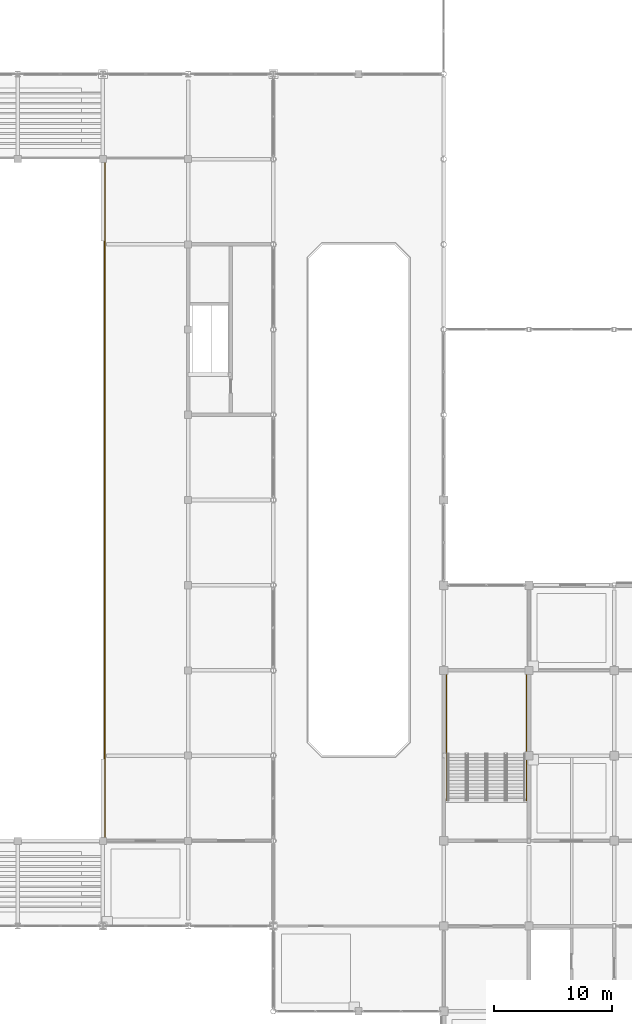
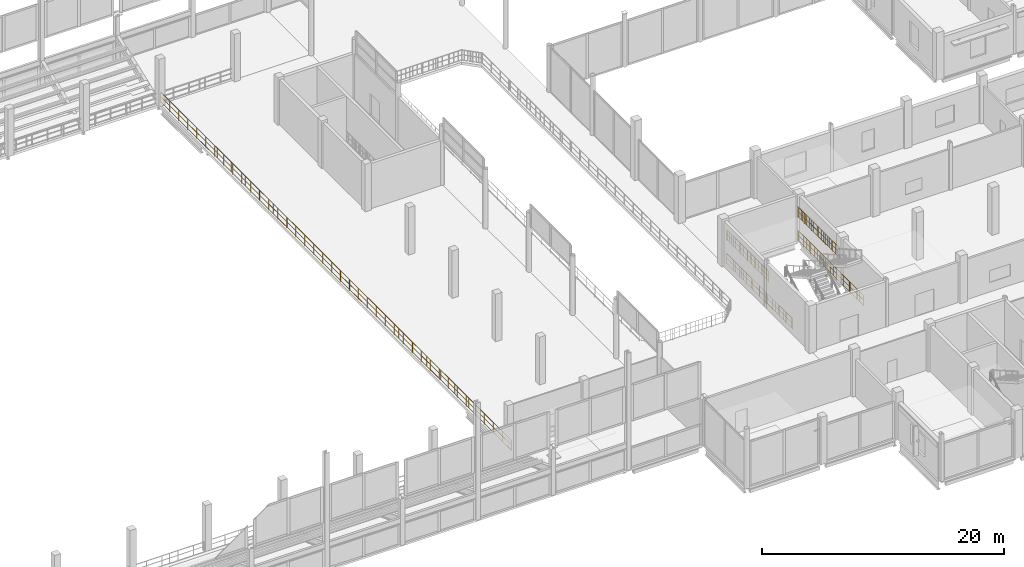
# One storey, part 110 of 120: 5 railings.
"""IFC4 building model written with IfcOpenShell, lengths in metres."""

from ifc_helpers import new_model, si_unit, direction, frame, origin, origin_2d, place, context, subcontext, project, spatial, circle, extrude, material, type_object, element, save


model = new_model("IFC4")

# Units and contexts
model_context = context("Model", 3, precision=1e-05, world=origin(), true_north=direction((0.0, 1.0)))
body_context = subcontext(model_context, "Body", "Model", "MODEL_VIEW")
ifc_project = project(units=[si_unit("LENGTHUNIT", "METRE"), si_unit("AREAUNIT", "SQUARE_METRE"), si_unit("VOLUMEUNIT", "CUBIC_METRE"), si_unit("PLANEANGLEUNIT", "RADIAN"), si_unit("MASSUNIT", "GRAM", prefix="KILO")], contexts=[model_context])

# Site, building, storey
site_placement = place(None, origin())
site = spatial("IfcSite", under=ifc_project, at=site_placement, CompositionType="ELEMENT")
building_placement = place(site_placement, origin())
building = spatial("IfcBuilding", under=site, at=building_placement, Name="Vesperath Aquatics Centre", CompositionType="ELEMENT")
storey_placement = place(building_placement, frame((0.0, 0.0, 10.199951171875)))
storey = spatial("IfcBuildingStorey", under=building, at=storey_placement, Name="L02", CompositionType="ELEMENT", Elevation=10.199951171875)

# Railings
ifc_material = material(Name="Powder-coated galvanized steel safety guard", Category="steel")
railing_type = type_object("IfcRailingType", Name="RL-GRD01", PredefinedType="GUARDRAIL", material=ifc_material)
railing_1_placement = place(storey_placement, frame((115.419921875, 28.97998046875, 2.400146484375)))
element("IfcRailing", 1, at=railing_1_placement, inside=storey, type_object=railing_type, Name="Stair ST7A Half-Landing Wall Guard GR02 L02", PredefinedType="GUARDRAIL", context=body_context, shape_type="SweptSolid", body=[
    extrude(circle(Radius=0.02392578125, at=origin_2d()), frame((0.0, 0.0, 1.0859375), z_axis=(0.0, 1.0, 0.0), x_axis=(-1.0, 0.0, 0.0)), (0.0, 0.0, 1.0), 6.89013671875),
    extrude(circle(Radius=0.01611328125, at=origin_2d()), frame((0.0, 0.0, 0.10009765625), z_axis=(0.0, 1.0, 0.0), x_axis=(-1.0, 0.0, 0.0)), (0.0, 0.0, 1.0), 6.89013671875),
    extrude(circle(Radius=0.01611328125, at=origin_2d()), frame((0.0, 0.0, 0.610595703125), z_axis=(0.0, 1.0, 0.0), x_axis=(-1.0, 0.0, 0.0)), (0.0, 0.0, 1.0), 6.89013671875),
    extrude(circle(Radius=0.009033203125, at=origin_2d()), frame((0.0, 0.109375, 0.10009765625)), (0.0, 0.0, 1.0), 0.9619140625),
    extrude(circle(Radius=0.009033203125, at=origin_2d()), frame((0.0, 0.328125, 0.10009765625)), (0.0, 0.0, 1.0), 0.9619140625),
    extrude(circle(Radius=0.009033203125, at=origin_2d()), frame((0.0, 0.546875, 0.10009765625)), (0.0, 0.0, 1.0), 0.9619140625),
    extrude(circle(Radius=0.009033203125, at=origin_2d()), frame((0.0, 0.765625, 0.10009765625)), (0.0, 0.0, 1.0), 0.9619140625),
    extrude(circle(Radius=0.009033203125, at=origin_2d()), frame((0.0, 0.984375, 0.10009765625)), (0.0, 0.0, 1.0), 0.9619140625),
    extrude(circle(Radius=0.009033203125, at=origin_2d()), frame((0.0, 1.203125, 0.10009765625)), (0.0, 0.0, 1.0), 0.9619140625),
    extrude(circle(Radius=0.009033203125, at=origin_2d()), frame((0.0, 1.421875, 0.10009765625)), (0.0, 0.0, 1.0), 0.9619140625),
    extrude(circle(Radius=0.009033203125, at=origin_2d()), frame((0.0, 1.640625, 0.10009765625)), (0.0, 0.0, 1.0), 0.9619140625),
    extrude(circle(Radius=0.009033203125, at=origin_2d()), frame((0.0, 1.859130859375, 0.10009765625)), (0.0, 0.0, 1.0), 0.9619140625),
    extrude(circle(Radius=0.009033203125, at=origin_2d()), frame((0.0, 2.077880859375, 0.10009765625)), (0.0, 0.0, 1.0), 0.9619140625),
    extrude(circle(Radius=0.009033203125, at=origin_2d()), frame((0.0, 2.296630859375, 0.10009765625)), (0.0, 0.0, 1.0), 0.9619140625),
    extrude(circle(Radius=0.009033203125, at=origin_2d()), frame((0.0, 2.515380859375, 0.10009765625)), (0.0, 0.0, 1.0), 0.9619140625),
    extrude(circle(Radius=0.009033203125, at=origin_2d()), frame((0.0, 2.734130859375, 0.10009765625)), (0.0, 0.0, 1.0), 0.9619140625),
    extrude(circle(Radius=0.009033203125, at=origin_2d()), frame((0.0, 2.952880859375, 0.10009765625)), (0.0, 0.0, 1.0), 0.9619140625),
    extrude(circle(Radius=0.009033203125, at=origin_2d()), frame((0.0, 3.171630859375, 0.10009765625)), (0.0, 0.0, 1.0), 0.9619140625),
    extrude(circle(Radius=0.009033203125, at=origin_2d()), frame((0.0, 3.390380859375, 0.10009765625)), (0.0, 0.0, 1.0), 0.9619140625),
    extrude(circle(Radius=0.009033203125, at=origin_2d()), frame((0.0, 3.609130859375, 0.10009765625)), (0.0, 0.0, 1.0), 0.9619140625),
    extrude(circle(Radius=0.009033203125, at=origin_2d()), frame((0.0, 3.827880859375, 0.10009765625)), (0.0, 0.0, 1.0), 0.9619140625),
    extrude(circle(Radius=0.009033203125, at=origin_2d()), frame((0.0, 4.046630859375, 0.10009765625)), (0.0, 0.0, 1.0), 0.9619140625),
    extrude(circle(Radius=0.009033203125, at=origin_2d()), frame((0.0, 4.265380859375, 0.10009765625)), (0.0, 0.0, 1.0), 0.9619140625),
    extrude(circle(Radius=0.009033203125, at=origin_2d()), frame((0.0, 4.484130859375, 0.10009765625)), (0.0, 0.0, 1.0), 0.9619140625),
    extrude(circle(Radius=0.009033203125, at=origin_2d()), frame((0.0, 4.702880859375, 0.10009765625)), (0.0, 0.0, 1.0), 0.9619140625),
    extrude(circle(Radius=0.009033203125, at=origin_2d()), frame((0.0, 4.921630859375, 0.10009765625)), (0.0, 0.0, 1.0), 0.9619140625),
    extrude(circle(Radius=0.009033203125, at=origin_2d()), frame((0.0, 5.140380859375, 0.10009765625)), (0.0, 0.0, 1.0), 0.9619140625),
    extrude(circle(Radius=0.009033203125, at=origin_2d()), frame((0.0, 5.35888671875, 0.10009765625)), (0.0, 0.0, 1.0), 0.9619140625),
    extrude(circle(Radius=0.009033203125, at=origin_2d()), frame((0.0, 5.57763671875, 0.10009765625)), (0.0, 0.0, 1.0), 0.9619140625),
    extrude(circle(Radius=0.009033203125, at=origin_2d()), frame((0.0, 5.79638671875, 0.10009765625)), (0.0, 0.0, 1.0), 0.9619140625),
    extrude(circle(Radius=0.009033203125, at=origin_2d()), frame((0.0, 6.01513671875, 0.10009765625)), (0.0, 0.0, 1.0), 0.9619140625),
    extrude(circle(Radius=0.009033203125, at=origin_2d()), frame((0.0, 6.23388671875, 0.10009765625)), (0.0, 0.0, 1.0), 0.9619140625),
    extrude(circle(Radius=0.009033203125, at=origin_2d()), frame((0.0, 6.45263671875, 0.10009765625)), (0.0, 0.0, 1.0), 0.9619140625),
    extrude(circle(Radius=0.009033203125, at=origin_2d()), frame((0.0, 6.67138671875, 0.10009765625)), (0.0, 0.0, 1.0), 0.9619140625),
    extrude(circle(Radius=0.02197265625, at=origin_2d()), origin(), (0.0, 0.0, 1.0), 1.0859375),
    extrude(circle(Radius=0.02197265625, at=origin_2d()), frame((0.0, 1.1484375, 0.0)), (0.0, 0.0, 1.0), 1.0859375),
    extrude(circle(Radius=0.02197265625, at=origin_2d()), frame((0.0, 2.296630859375, 0.0)), (0.0, 0.0, 1.0), 1.0859375),
    extrude(circle(Radius=0.02197265625, at=origin_2d()), frame((0.0, 3.445068359375, 0.0)), (0.0, 0.0, 1.0), 1.0859375),
    extrude(circle(Radius=0.02197265625, at=origin_2d()), frame((0.0, 4.593505859375, 0.0)), (0.0, 0.0, 1.0), 1.0859375),
    extrude(circle(Radius=0.02197265625, at=origin_2d()), frame((0.0, 5.74169921875, 0.0)), (0.0, 0.0, 1.0), 1.0859375),
    extrude(circle(Radius=0.02197265625, at=origin_2d()), frame((0.0, 6.89013671875, 0.0)), (0.0, 0.0, 1.0), 1.0859375),
])
railing_2_placement = place(storey_placement, frame((115.419921875, 25.0, 0.0)))
element("IfcRailing", 2, at=railing_2_placement, inside=storey, type_object=railing_type, Name="Stair ST7A Shaft Side Guard GR02 L02", PredefinedType="GUARDRAIL", context=body_context, shape_type="SweptSolid", body=[
    extrude(circle(Radius=0.02392578125, at=origin_2d()), frame((0.0, 0.0, 1.0859375), z_axis=(0.0, 1.0, 0.0), x_axis=(-1.0, 0.0, 0.0)), (0.0, 0.0, 1.0), 10.8701171875),
    extrude(circle(Radius=0.01611328125, at=origin_2d()), frame((0.0, 0.0, 0.10009765625), z_axis=(0.0, 1.0, 0.0), x_axis=(-1.0, 0.0, 0.0)), (0.0, 0.0, 1.0), 10.8701171875),
    extrude(circle(Radius=0.01611328125, at=origin_2d()), frame((0.0, 0.0, 0.610595703125), z_axis=(0.0, 1.0, 0.0), x_axis=(-1.0, 0.0, 0.0)), (0.0, 0.0, 1.0), 10.8701171875),
    extrude(circle(Radius=0.009033203125, at=origin_2d()), frame((0.0, 0.10986328125, 0.10009765625)), (0.0, 0.0, 1.0), 0.9619140625),
    extrude(circle(Radius=0.009033203125, at=origin_2d()), frame((0.0, 0.549072265625, 0.10009765625)), (0.0, 0.0, 1.0), 0.9619140625),
    extrude(circle(Radius=0.009033203125, at=origin_2d()), frame((0.0, 0.98828125, 0.10009765625)), (0.0, 0.0, 1.0), 0.9619140625),
    extrude(circle(Radius=0.009033203125, at=origin_2d()), frame((0.0, 1.427490234375, 0.10009765625)), (0.0, 0.0, 1.0), 0.9619140625),
    extrude(circle(Radius=0.009033203125, at=origin_2d()), frame((0.0, 1.86669921875, 0.10009765625)), (0.0, 0.0, 1.0), 0.9619140625),
    extrude(circle(Radius=0.009033203125, at=origin_2d()), frame((0.0, 2.3056640625, 0.10009765625)), (0.0, 0.0, 1.0), 0.9619140625),
    extrude(circle(Radius=0.009033203125, at=origin_2d()), frame((0.0, 2.744873046875, 0.10009765625)), (0.0, 0.0, 1.0), 0.9619140625),
    extrude(circle(Radius=0.009033203125, at=origin_2d()), frame((0.0, 3.18408203125, 0.10009765625)), (0.0, 0.0, 1.0), 0.9619140625),
    extrude(circle(Radius=0.009033203125, at=origin_2d()), frame((0.0, 3.623291015625, 0.10009765625)), (0.0, 0.0, 1.0), 0.9619140625),
    extrude(circle(Radius=0.009033203125, at=origin_2d()), frame((0.0, 4.0625, 0.10009765625)), (0.0, 0.0, 1.0), 0.9619140625),
    extrude(circle(Radius=0.009033203125, at=origin_2d()), frame((0.0, 4.501708984375, 0.10009765625)), (0.0, 0.0, 1.0), 0.9619140625),
    extrude(circle(Radius=0.009033203125, at=origin_2d()), frame((0.0, 4.94091796875, 0.10009765625)), (0.0, 0.0, 1.0), 0.9619140625),
    extrude(circle(Radius=0.009033203125, at=origin_2d()), frame((0.0, 5.380126953125, 0.10009765625)), (0.0, 0.0, 1.0), 0.9619140625),
    extrude(circle(Radius=0.009033203125, at=origin_2d()), frame((0.0, 5.8193359375, 0.10009765625)), (0.0, 0.0, 1.0), 0.9619140625),
    extrude(circle(Radius=0.009033203125, at=origin_2d()), frame((0.0, 6.258544921875, 0.10009765625)), (0.0, 0.0, 1.0), 0.9619140625),
    extrude(circle(Radius=0.009033203125, at=origin_2d()), frame((0.0, 6.69775390625, 0.10009765625)), (0.0, 0.0, 1.0), 0.9619140625),
    extrude(circle(Radius=0.009033203125, at=origin_2d()), frame((0.0, 7.136962890625, 0.10009765625)), (0.0, 0.0, 1.0), 0.9619140625),
    extrude(circle(Radius=0.009033203125, at=origin_2d()), frame((0.0, 7.576171875, 0.10009765625)), (0.0, 0.0, 1.0), 0.9619140625),
    extrude(circle(Radius=0.009033203125, at=origin_2d()), frame((0.0, 8.015380859375, 0.10009765625)), (0.0, 0.0, 1.0), 0.9619140625),
    extrude(circle(Radius=0.009033203125, at=origin_2d()), frame((0.0, 8.45458984375, 0.10009765625)), (0.0, 0.0, 1.0), 0.9619140625),
    extrude(circle(Radius=0.009033203125, at=origin_2d()), frame((0.0, 8.893798828125, 0.10009765625)), (0.0, 0.0, 1.0), 0.9619140625),
    extrude(circle(Radius=0.009033203125, at=origin_2d()), frame((0.0, 9.3330078125, 0.10009765625)), (0.0, 0.0, 1.0), 0.9619140625),
    extrude(circle(Radius=0.009033203125, at=origin_2d()), frame((0.0, 9.772216796875, 0.10009765625)), (0.0, 0.0, 1.0), 0.9619140625),
    extrude(circle(Radius=0.009033203125, at=origin_2d()), frame((0.0, 10.21142578125, 0.10009765625)), (0.0, 0.0, 1.0), 0.9619140625),
    extrude(circle(Radius=0.009033203125, at=origin_2d()), frame((0.0, 10.650634765625, 0.10009765625)), (0.0, 0.0, 1.0), 0.9619140625),
    extrude(circle(Radius=0.02197265625, at=origin_2d()), origin(), (0.0, 0.0, 1.0), 1.0859375),
    extrude(circle(Radius=0.02197265625, at=origin_2d()), frame((0.0, 1.0869140625, 0.0)), (0.0, 0.0, 1.0), 1.0859375),
    extrude(circle(Radius=0.02197265625, at=origin_2d()), frame((0.0, 2.174072265625, 0.0)), (0.0, 0.0, 1.0), 1.0859375),
    extrude(circle(Radius=0.02197265625, at=origin_2d()), frame((0.0, 3.260986328125, 0.0)), (0.0, 0.0, 1.0), 1.0859375),
    extrude(circle(Radius=0.02197265625, at=origin_2d()), frame((0.0, 4.34814453125, 0.0)), (0.0, 0.0, 1.0), 1.0859375),
    extrude(circle(Radius=0.02197265625, at=origin_2d()), frame((0.0, 5.43505859375, 0.0)), (0.0, 0.0, 1.0), 1.0859375),
    extrude(circle(Radius=0.02197265625, at=origin_2d()), frame((0.0, 6.52197265625, 0.0)), (0.0, 0.0, 1.0), 1.0859375),
    extrude(circle(Radius=0.02197265625, at=origin_2d()), frame((0.0, 7.609130859375, 0.0)), (0.0, 0.0, 1.0), 1.0859375),
    extrude(circle(Radius=0.02197265625, at=origin_2d()), frame((0.0, 8.696044921875, 0.0)), (0.0, 0.0, 1.0), 1.0859375),
    extrude(circle(Radius=0.02197265625, at=origin_2d()), frame((0.0, 9.783203125, 0.0)), (0.0, 0.0, 1.0), 1.0859375),
    extrude(circle(Radius=0.02197265625, at=origin_2d()), frame((0.0, 10.8701171875, 0.0)), (0.0, 0.0, 1.0), 1.0859375),
])
railing_3_placement = place(storey_placement, frame((122.179931640625, 28.97998046875, 2.400146484375)))
element("IfcRailing", 3, at=railing_3_placement, inside=storey, type_object=railing_type, Name="Stair ST7B Half-Landing Wall Guard GR02 L02", PredefinedType="GUARDRAIL", context=body_context, shape_type="SweptSolid", body=[
    extrude(circle(Radius=0.02392578125, at=origin_2d()), frame((0.0, 0.0, 1.0859375), z_axis=(0.0, 1.0, 0.0), x_axis=(-1.0, 0.0, 0.0)), (0.0, 0.0, 1.0), 6.89013671875),
    extrude(circle(Radius=0.01611328125, at=origin_2d()), frame((0.0, 0.0, 0.10009765625), z_axis=(0.0, 1.0, 0.0), x_axis=(-1.0, 0.0, 0.0)), (0.0, 0.0, 1.0), 6.89013671875),
    extrude(circle(Radius=0.01611328125, at=origin_2d()), frame((0.0, 0.0, 0.610595703125), z_axis=(0.0, 1.0, 0.0), x_axis=(-1.0, 0.0, 0.0)), (0.0, 0.0, 1.0), 6.89013671875),
    extrude(circle(Radius=0.009033203125, at=origin_2d()), frame((0.0, 0.109375, 0.10009765625)), (0.0, 0.0, 1.0), 0.9619140625),
    extrude(circle(Radius=0.009033203125, at=origin_2d()), frame((0.0, 0.328125, 0.10009765625)), (0.0, 0.0, 1.0), 0.9619140625),
    extrude(circle(Radius=0.009033203125, at=origin_2d()), frame((0.0, 0.546875, 0.10009765625)), (0.0, 0.0, 1.0), 0.9619140625),
    extrude(circle(Radius=0.009033203125, at=origin_2d()), frame((0.0, 0.765625, 0.10009765625)), (0.0, 0.0, 1.0), 0.9619140625),
    extrude(circle(Radius=0.009033203125, at=origin_2d()), frame((0.0, 0.984375, 0.10009765625)), (0.0, 0.0, 1.0), 0.9619140625),
    extrude(circle(Radius=0.009033203125, at=origin_2d()), frame((0.0, 1.203125, 0.10009765625)), (0.0, 0.0, 1.0), 0.9619140625),
    extrude(circle(Radius=0.009033203125, at=origin_2d()), frame((0.0, 1.421875, 0.10009765625)), (0.0, 0.0, 1.0), 0.9619140625),
    extrude(circle(Radius=0.009033203125, at=origin_2d()), frame((0.0, 1.640625, 0.10009765625)), (0.0, 0.0, 1.0), 0.9619140625),
    extrude(circle(Radius=0.009033203125, at=origin_2d()), frame((0.0, 1.859130859375, 0.10009765625)), (0.0, 0.0, 1.0), 0.9619140625),
    extrude(circle(Radius=0.009033203125, at=origin_2d()), frame((0.0, 2.077880859375, 0.10009765625)), (0.0, 0.0, 1.0), 0.9619140625),
    extrude(circle(Radius=0.009033203125, at=origin_2d()), frame((0.0, 2.296630859375, 0.10009765625)), (0.0, 0.0, 1.0), 0.9619140625),
    extrude(circle(Radius=0.009033203125, at=origin_2d()), frame((0.0, 2.515380859375, 0.10009765625)), (0.0, 0.0, 1.0), 0.9619140625),
    extrude(circle(Radius=0.009033203125, at=origin_2d()), frame((0.0, 2.734130859375, 0.10009765625)), (0.0, 0.0, 1.0), 0.9619140625),
    extrude(circle(Radius=0.009033203125, at=origin_2d()), frame((0.0, 2.952880859375, 0.10009765625)), (0.0, 0.0, 1.0), 0.9619140625),
    extrude(circle(Radius=0.009033203125, at=origin_2d()), frame((0.0, 3.171630859375, 0.10009765625)), (0.0, 0.0, 1.0), 0.9619140625),
    extrude(circle(Radius=0.009033203125, at=origin_2d()), frame((0.0, 3.390380859375, 0.10009765625)), (0.0, 0.0, 1.0), 0.9619140625),
    extrude(circle(Radius=0.009033203125, at=origin_2d()), frame((0.0, 3.609130859375, 0.10009765625)), (0.0, 0.0, 1.0), 0.9619140625),
    extrude(circle(Radius=0.009033203125, at=origin_2d()), frame((0.0, 3.827880859375, 0.10009765625)), (0.0, 0.0, 1.0), 0.9619140625),
    extrude(circle(Radius=0.009033203125, at=origin_2d()), frame((0.0, 4.046630859375, 0.10009765625)), (0.0, 0.0, 1.0), 0.9619140625),
    extrude(circle(Radius=0.009033203125, at=origin_2d()), frame((0.0, 4.265380859375, 0.10009765625)), (0.0, 0.0, 1.0), 0.9619140625),
    extrude(circle(Radius=0.009033203125, at=origin_2d()), frame((0.0, 4.484130859375, 0.10009765625)), (0.0, 0.0, 1.0), 0.9619140625),
    extrude(circle(Radius=0.009033203125, at=origin_2d()), frame((0.0, 4.702880859375, 0.10009765625)), (0.0, 0.0, 1.0), 0.9619140625),
    extrude(circle(Radius=0.009033203125, at=origin_2d()), frame((0.0, 4.921630859375, 0.10009765625)), (0.0, 0.0, 1.0), 0.9619140625),
    extrude(circle(Radius=0.009033203125, at=origin_2d()), frame((0.0, 5.140380859375, 0.10009765625)), (0.0, 0.0, 1.0), 0.9619140625),
    extrude(circle(Radius=0.009033203125, at=origin_2d()), frame((0.0, 5.35888671875, 0.10009765625)), (0.0, 0.0, 1.0), 0.9619140625),
    extrude(circle(Radius=0.009033203125, at=origin_2d()), frame((0.0, 5.57763671875, 0.10009765625)), (0.0, 0.0, 1.0), 0.9619140625),
    extrude(circle(Radius=0.009033203125, at=origin_2d()), frame((0.0, 5.79638671875, 0.10009765625)), (0.0, 0.0, 1.0), 0.9619140625),
    extrude(circle(Radius=0.009033203125, at=origin_2d()), frame((0.0, 6.01513671875, 0.10009765625)), (0.0, 0.0, 1.0), 0.9619140625),
    extrude(circle(Radius=0.009033203125, at=origin_2d()), frame((0.0, 6.23388671875, 0.10009765625)), (0.0, 0.0, 1.0), 0.9619140625),
    extrude(circle(Radius=0.009033203125, at=origin_2d()), frame((0.0, 6.45263671875, 0.10009765625)), (0.0, 0.0, 1.0), 0.9619140625),
    extrude(circle(Radius=0.009033203125, at=origin_2d()), frame((0.0, 6.67138671875, 0.10009765625)), (0.0, 0.0, 1.0), 0.9619140625),
    extrude(circle(Radius=0.02197265625, at=origin_2d()), origin(), (0.0, 0.0, 1.0), 1.0859375),
    extrude(circle(Radius=0.02197265625, at=origin_2d()), frame((0.0, 1.1484375, 0.0)), (0.0, 0.0, 1.0), 1.0859375),
    extrude(circle(Radius=0.02197265625, at=origin_2d()), frame((0.0, 2.296630859375, 0.0)), (0.0, 0.0, 1.0), 1.0859375),
    extrude(circle(Radius=0.02197265625, at=origin_2d()), frame((0.0, 3.445068359375, 0.0)), (0.0, 0.0, 1.0), 1.0859375),
    extrude(circle(Radius=0.02197265625, at=origin_2d()), frame((0.0, 4.593505859375, 0.0)), (0.0, 0.0, 1.0), 1.0859375),
    extrude(circle(Radius=0.02197265625, at=origin_2d()), frame((0.0, 5.74169921875, 0.0)), (0.0, 0.0, 1.0), 1.0859375),
    extrude(circle(Radius=0.02197265625, at=origin_2d()), frame((0.0, 6.89013671875, 0.0)), (0.0, 0.0, 1.0), 1.0859375),
])
railing_4_placement = place(storey_placement, frame((122.179931640625, 25.0, 0.0)))
element("IfcRailing", 4, at=railing_4_placement, inside=storey, type_object=railing_type, Name="Stair ST7B Shaft Side Guard GR02 L02", PredefinedType="GUARDRAIL", context=body_context, shape_type="SweptSolid", body=[
    extrude(circle(Radius=0.02392578125, at=origin_2d()), frame((0.0, 0.0, 1.0859375), z_axis=(0.0, 1.0, 0.0), x_axis=(-1.0, 0.0, 0.0)), (0.0, 0.0, 1.0), 10.8701171875),
    extrude(circle(Radius=0.01611328125, at=origin_2d()), frame((0.0, 0.0, 0.10009765625), z_axis=(0.0, 1.0, 0.0), x_axis=(-1.0, 0.0, 0.0)), (0.0, 0.0, 1.0), 10.8701171875),
    extrude(circle(Radius=0.01611328125, at=origin_2d()), frame((0.0, 0.0, 0.610595703125), z_axis=(0.0, 1.0, 0.0), x_axis=(-1.0, 0.0, 0.0)), (0.0, 0.0, 1.0), 10.8701171875),
    extrude(circle(Radius=0.009033203125, at=origin_2d()), frame((0.0, 0.10986328125, 0.10009765625)), (0.0, 0.0, 1.0), 0.9619140625),
    extrude(circle(Radius=0.009033203125, at=origin_2d()), frame((0.0, 0.549072265625, 0.10009765625)), (0.0, 0.0, 1.0), 0.9619140625),
    extrude(circle(Radius=0.009033203125, at=origin_2d()), frame((0.0, 0.98828125, 0.10009765625)), (0.0, 0.0, 1.0), 0.9619140625),
    extrude(circle(Radius=0.009033203125, at=origin_2d()), frame((0.0, 1.427490234375, 0.10009765625)), (0.0, 0.0, 1.0), 0.9619140625),
    extrude(circle(Radius=0.009033203125, at=origin_2d()), frame((0.0, 1.86669921875, 0.10009765625)), (0.0, 0.0, 1.0), 0.9619140625),
    extrude(circle(Radius=0.009033203125, at=origin_2d()), frame((0.0, 2.3056640625, 0.10009765625)), (0.0, 0.0, 1.0), 0.9619140625),
    extrude(circle(Radius=0.009033203125, at=origin_2d()), frame((0.0, 2.744873046875, 0.10009765625)), (0.0, 0.0, 1.0), 0.9619140625),
    extrude(circle(Radius=0.009033203125, at=origin_2d()), frame((0.0, 3.18408203125, 0.10009765625)), (0.0, 0.0, 1.0), 0.9619140625),
    extrude(circle(Radius=0.009033203125, at=origin_2d()), frame((0.0, 3.623291015625, 0.10009765625)), (0.0, 0.0, 1.0), 0.9619140625),
    extrude(circle(Radius=0.009033203125, at=origin_2d()), frame((0.0, 4.0625, 0.10009765625)), (0.0, 0.0, 1.0), 0.9619140625),
    extrude(circle(Radius=0.009033203125, at=origin_2d()), frame((0.0, 4.501708984375, 0.10009765625)), (0.0, 0.0, 1.0), 0.9619140625),
    extrude(circle(Radius=0.009033203125, at=origin_2d()), frame((0.0, 4.94091796875, 0.10009765625)), (0.0, 0.0, 1.0), 0.9619140625),
    extrude(circle(Radius=0.009033203125, at=origin_2d()), frame((0.0, 5.380126953125, 0.10009765625)), (0.0, 0.0, 1.0), 0.9619140625),
    extrude(circle(Radius=0.009033203125, at=origin_2d()), frame((0.0, 5.8193359375, 0.10009765625)), (0.0, 0.0, 1.0), 0.9619140625),
    extrude(circle(Radius=0.009033203125, at=origin_2d()), frame((0.0, 6.258544921875, 0.10009765625)), (0.0, 0.0, 1.0), 0.9619140625),
    extrude(circle(Radius=0.009033203125, at=origin_2d()), frame((0.0, 6.69775390625, 0.10009765625)), (0.0, 0.0, 1.0), 0.9619140625),
    extrude(circle(Radius=0.009033203125, at=origin_2d()), frame((0.0, 7.136962890625, 0.10009765625)), (0.0, 0.0, 1.0), 0.9619140625),
    extrude(circle(Radius=0.009033203125, at=origin_2d()), frame((0.0, 7.576171875, 0.10009765625)), (0.0, 0.0, 1.0), 0.9619140625),
    extrude(circle(Radius=0.009033203125, at=origin_2d()), frame((0.0, 8.015380859375, 0.10009765625)), (0.0, 0.0, 1.0), 0.9619140625),
    extrude(circle(Radius=0.009033203125, at=origin_2d()), frame((0.0, 8.45458984375, 0.10009765625)), (0.0, 0.0, 1.0), 0.9619140625),
    extrude(circle(Radius=0.009033203125, at=origin_2d()), frame((0.0, 8.893798828125, 0.10009765625)), (0.0, 0.0, 1.0), 0.9619140625),
    extrude(circle(Radius=0.009033203125, at=origin_2d()), frame((0.0, 9.3330078125, 0.10009765625)), (0.0, 0.0, 1.0), 0.9619140625),
    extrude(circle(Radius=0.009033203125, at=origin_2d()), frame((0.0, 9.772216796875, 0.10009765625)), (0.0, 0.0, 1.0), 0.9619140625),
    extrude(circle(Radius=0.009033203125, at=origin_2d()), frame((0.0, 10.21142578125, 0.10009765625)), (0.0, 0.0, 1.0), 0.9619140625),
    extrude(circle(Radius=0.009033203125, at=origin_2d()), frame((0.0, 10.650634765625, 0.10009765625)), (0.0, 0.0, 1.0), 0.9619140625),
    extrude(circle(Radius=0.02197265625, at=origin_2d()), origin(), (0.0, 0.0, 1.0), 1.0859375),
    extrude(circle(Radius=0.02197265625, at=origin_2d()), frame((0.0, 1.0869140625, 0.0)), (0.0, 0.0, 1.0), 1.0859375),
    extrude(circle(Radius=0.02197265625, at=origin_2d()), frame((0.0, 2.174072265625, 0.0)), (0.0, 0.0, 1.0), 1.0859375),
    extrude(circle(Radius=0.02197265625, at=origin_2d()), frame((0.0, 3.260986328125, 0.0)), (0.0, 0.0, 1.0), 1.0859375),
    extrude(circle(Radius=0.02197265625, at=origin_2d()), frame((0.0, 4.34814453125, 0.0)), (0.0, 0.0, 1.0), 1.0859375),
    extrude(circle(Radius=0.02197265625, at=origin_2d()), frame((0.0, 5.43505859375, 0.0)), (0.0, 0.0, 1.0), 1.0859375),
    extrude(circle(Radius=0.02197265625, at=origin_2d()), frame((0.0, 6.52197265625, 0.0)), (0.0, 0.0, 1.0), 1.0859375),
    extrude(circle(Radius=0.02197265625, at=origin_2d()), frame((0.0, 7.609130859375, 0.0)), (0.0, 0.0, 1.0), 1.0859375),
    extrude(circle(Radius=0.02197265625, at=origin_2d()), frame((0.0, 8.696044921875, 0.0)), (0.0, 0.0, 1.0), 1.0859375),
    extrude(circle(Radius=0.02197265625, at=origin_2d()), frame((0.0, 9.783203125, 0.0)), (0.0, 0.0, 1.0), 1.0859375),
    extrude(circle(Radius=0.02197265625, at=origin_2d()), frame((0.0, 10.8701171875, 0.0)), (0.0, 0.0, 1.0), 1.0859375),
])
railing_5_placement = place(storey_placement, frame((86.550048828125, 21.449951171875, 0.0)))
element("IfcRailing", 5, at=railing_5_placement, inside=storey, type_object=railing_type, Name="Safety Guardrail GR02 GRD_L02_CONC_E", PredefinedType="GUARDRAIL", context=body_context, shape_type="SweptSolid", body=[
    extrude(circle(Radius=0.02392578125, at=origin_2d()), frame((0.0, 0.0, 1.0859375), z_axis=(0.0, 1.0, 0.0), x_axis=(-1.0, 0.0, 0.0)), (0.0, 0.0, 1.0), 57.900146484375),
    extrude(circle(Radius=0.01611328125, at=origin_2d()), frame((0.0, 0.0, 0.10009765625), z_axis=(0.0, 1.0, 0.0), x_axis=(-1.0, 0.0, 0.0)), (0.0, 0.0, 1.0), 57.900146484375),
    extrude(circle(Radius=0.01611328125, at=origin_2d()), frame((0.0, 0.0, 0.610595703125), z_axis=(0.0, 1.0, 0.0), x_axis=(-1.0, 0.0, 0.0)), (0.0, 0.0, 1.0), 57.900146484375),
    extrude(circle(Radius=0.009033203125, at=origin_2d()), frame((0.0, 0.10986328125, 0.10009765625)), (0.0, 0.0, 1.0), 0.9619140625),
    extrude(circle(Radius=0.009033203125, at=origin_2d()), frame((0.0, 2.4169921875, 0.10009765625)), (0.0, 0.0, 1.0), 0.9619140625),
    extrude(circle(Radius=0.009033203125, at=origin_2d()), frame((0.0, 4.724365234375, 0.10009765625)), (0.0, 0.0, 1.0), 0.9619140625),
    extrude(circle(Radius=0.009033203125, at=origin_2d()), frame((0.0, 7.031494140625, 0.10009765625)), (0.0, 0.0, 1.0), 0.9619140625),
    extrude(circle(Radius=0.009033203125, at=origin_2d()), frame((0.0, 9.338623046875, 0.10009765625)), (0.0, 0.0, 1.0), 0.9619140625),
    extrude(circle(Radius=0.009033203125, at=origin_2d()), frame((0.0, 11.64599609375, 0.10009765625)), (0.0, 0.0, 1.0), 0.9619140625),
    extrude(circle(Radius=0.009033203125, at=origin_2d()), frame((0.0, 13.953125, 0.10009765625)), (0.0, 0.0, 1.0), 0.9619140625),
    extrude(circle(Radius=0.009033203125, at=origin_2d()), frame((0.0, 16.260498046875, 0.10009765625)), (0.0, 0.0, 1.0), 0.9619140625),
    extrude(circle(Radius=0.009033203125, at=origin_2d()), frame((0.0, 18.567626953125, 0.10009765625)), (0.0, 0.0, 1.0), 0.9619140625),
    extrude(circle(Radius=0.009033203125, at=origin_2d()), frame((0.0, 20.874755859375, 0.10009765625)), (0.0, 0.0, 1.0), 0.9619140625),
    extrude(circle(Radius=0.009033203125, at=origin_2d()), frame((0.0, 23.18212890625, 0.10009765625)), (0.0, 0.0, 1.0), 0.9619140625),
    extrude(circle(Radius=0.009033203125, at=origin_2d()), frame((0.0, 25.4892578125, 0.10009765625)), (0.0, 0.0, 1.0), 0.9619140625),
    extrude(circle(Radius=0.009033203125, at=origin_2d()), frame((0.0, 27.79638671875, 0.10009765625)), (0.0, 0.0, 1.0), 0.9619140625),
    extrude(circle(Radius=0.009033203125, at=origin_2d()), frame((0.0, 30.103759765625, 0.10009765625)), (0.0, 0.0, 1.0), 0.9619140625),
    extrude(circle(Radius=0.009033203125, at=origin_2d()), frame((0.0, 32.410888671875, 0.10009765625)), (0.0, 0.0, 1.0), 0.9619140625),
    extrude(circle(Radius=0.009033203125, at=origin_2d()), frame((0.0, 34.718017578125, 0.10009765625)), (0.0, 0.0, 1.0), 0.9619140625),
    extrude(circle(Radius=0.009033203125, at=origin_2d()), frame((0.0, 37.025390625, 0.10009765625)), (0.0, 0.0, 1.0), 0.9619140625),
    extrude(circle(Radius=0.009033203125, at=origin_2d()), frame((0.0, 39.33251953125, 0.10009765625)), (0.0, 0.0, 1.0), 0.9619140625),
    extrude(circle(Radius=0.009033203125, at=origin_2d()), frame((0.0, 41.6396484375, 0.10009765625)), (0.0, 0.0, 1.0), 0.9619140625),
    extrude(circle(Radius=0.009033203125, at=origin_2d()), frame((0.0, 43.947021484375, 0.10009765625)), (0.0, 0.0, 1.0), 0.9619140625),
    extrude(circle(Radius=0.009033203125, at=origin_2d()), frame((0.0, 46.254150390625, 0.10009765625)), (0.0, 0.0, 1.0), 0.9619140625),
    extrude(circle(Radius=0.009033203125, at=origin_2d()), frame((0.0, 48.5615234375, 0.10009765625)), (0.0, 0.0, 1.0), 0.9619140625),
    extrude(circle(Radius=0.009033203125, at=origin_2d()), frame((0.0, 50.86865234375, 0.10009765625)), (0.0, 0.0, 1.0), 0.9619140625),
    extrude(circle(Radius=0.009033203125, at=origin_2d()), frame((0.0, 53.17578125, 0.10009765625)), (0.0, 0.0, 1.0), 0.9619140625),
    extrude(circle(Radius=0.009033203125, at=origin_2d()), frame((0.0, 55.483154296875, 0.10009765625)), (0.0, 0.0, 1.0), 0.9619140625),
    extrude(circle(Radius=0.009033203125, at=origin_2d()), frame((0.0, 57.790283203125, 0.10009765625)), (0.0, 0.0, 1.0), 0.9619140625),
    extrude(circle(Radius=0.02197265625, at=origin_2d()), origin(), (0.0, 0.0, 1.0), 1.0859375),
    extrude(circle(Radius=0.02197265625, at=origin_2d()), frame((0.0, 1.484619140625, 0.0)), (0.0, 0.0, 1.0), 1.0859375),
    extrude(circle(Radius=0.02197265625, at=origin_2d()), frame((0.0, 2.96923828125, 0.0)), (0.0, 0.0, 1.0), 1.0859375),
    extrude(circle(Radius=0.02197265625, at=origin_2d()), frame((0.0, 4.453857421875, 0.0)), (0.0, 0.0, 1.0), 1.0859375),
    extrude(circle(Radius=0.02197265625, at=origin_2d()), frame((0.0, 5.9384765625, 0.0)), (0.0, 0.0, 1.0), 1.0859375),
    extrude(circle(Radius=0.02197265625, at=origin_2d()), frame((0.0, 7.423095703125, 0.0)), (0.0, 0.0, 1.0), 1.0859375),
    extrude(circle(Radius=0.02197265625, at=origin_2d()), frame((0.0, 8.90771484375, 0.0)), (0.0, 0.0, 1.0), 1.0859375),
    extrude(circle(Radius=0.02197265625, at=origin_2d()), frame((0.0, 10.392333984375, 0.0)), (0.0, 0.0, 1.0), 1.0859375),
    extrude(circle(Radius=0.02197265625, at=origin_2d()), frame((0.0, 11.876953125, 0.0)), (0.0, 0.0, 1.0), 1.0859375),
    extrude(circle(Radius=0.02197265625, at=origin_2d()), frame((0.0, 13.361572265625, 0.0)), (0.0, 0.0, 1.0), 1.0859375),
    extrude(circle(Radius=0.02197265625, at=origin_2d()), frame((0.0, 14.84619140625, 0.0)), (0.0, 0.0, 1.0), 1.0859375),
    extrude(circle(Radius=0.02197265625, at=origin_2d()), frame((0.0, 16.330810546875, 0.0)), (0.0, 0.0, 1.0), 1.0859375),
    extrude(circle(Radius=0.02197265625, at=origin_2d()), frame((0.0, 17.8154296875, 0.0)), (0.0, 0.0, 1.0), 1.0859375),
    extrude(circle(Radius=0.02197265625, at=origin_2d()), frame((0.0, 19.300048828125, 0.0)), (0.0, 0.0, 1.0), 1.0859375),
    extrude(circle(Radius=0.02197265625, at=origin_2d()), frame((0.0, 20.78466796875, 0.0)), (0.0, 0.0, 1.0), 1.0859375),
    extrude(circle(Radius=0.02197265625, at=origin_2d()), frame((0.0, 22.269287109375, 0.0)), (0.0, 0.0, 1.0), 1.0859375),
    extrude(circle(Radius=0.02197265625, at=origin_2d()), frame((0.0, 23.75390625, 0.0)), (0.0, 0.0, 1.0), 1.0859375),
    extrude(circle(Radius=0.02197265625, at=origin_2d()), frame((0.0, 25.238525390625, 0.0)), (0.0, 0.0, 1.0), 1.0859375),
    extrude(circle(Radius=0.02197265625, at=origin_2d()), frame((0.0, 26.72314453125, 0.0)), (0.0, 0.0, 1.0), 1.0859375),
    extrude(circle(Radius=0.02197265625, at=origin_2d()), frame((0.0, 28.207763671875, 0.0)), (0.0, 0.0, 1.0), 1.0859375),
    extrude(circle(Radius=0.02197265625, at=origin_2d()), frame((0.0, 29.6923828125, 0.0)), (0.0, 0.0, 1.0), 1.0859375),
    extrude(circle(Radius=0.02197265625, at=origin_2d()), frame((0.0, 31.177001953125, 0.0)), (0.0, 0.0, 1.0), 1.0859375),
    extrude(circle(Radius=0.02197265625, at=origin_2d()), frame((0.0, 32.66162109375, 0.0)), (0.0, 0.0, 1.0), 1.0859375),
    extrude(circle(Radius=0.02197265625, at=origin_2d()), frame((0.0, 34.146240234375, 0.0)), (0.0, 0.0, 1.0), 1.0859375),
    extrude(circle(Radius=0.02197265625, at=origin_2d()), frame((0.0, 35.630859375, 0.0)), (0.0, 0.0, 1.0), 1.0859375),
    extrude(circle(Radius=0.02197265625, at=origin_2d()), frame((0.0, 37.115478515625, 0.0)), (0.0, 0.0, 1.0), 1.0859375),
    extrude(circle(Radius=0.02197265625, at=origin_2d()), frame((0.0, 38.60009765625, 0.0)), (0.0, 0.0, 1.0), 1.0859375),
    extrude(circle(Radius=0.02197265625, at=origin_2d()), frame((0.0, 40.084716796875, 0.0)), (0.0, 0.0, 1.0), 1.0859375),
    extrude(circle(Radius=0.02197265625, at=origin_2d()), frame((0.0, 41.5693359375, 0.0)), (0.0, 0.0, 1.0), 1.0859375),
    extrude(circle(Radius=0.02197265625, at=origin_2d()), frame((0.0, 43.053955078125, 0.0)), (0.0, 0.0, 1.0), 1.0859375),
    extrude(circle(Radius=0.02197265625, at=origin_2d()), frame((0.0, 44.53857421875, 0.0)), (0.0, 0.0, 1.0), 1.0859375),
    extrude(circle(Radius=0.02197265625, at=origin_2d()), frame((0.0, 46.023193359375, 0.0)), (0.0, 0.0, 1.0), 1.0859375),
    extrude(circle(Radius=0.02197265625, at=origin_2d()), frame((0.0, 47.5078125, 0.0)), (0.0, 0.0, 1.0), 1.0859375),
    extrude(circle(Radius=0.02197265625, at=origin_2d()), frame((0.0, 48.992431640625, 0.0)), (0.0, 0.0, 1.0), 1.0859375),
    extrude(circle(Radius=0.02197265625, at=origin_2d()), frame((0.0, 50.47705078125, 0.0)), (0.0, 0.0, 1.0), 1.0859375),
    extrude(circle(Radius=0.02197265625, at=origin_2d()), frame((0.0, 51.961669921875, 0.0)), (0.0, 0.0, 1.0), 1.0859375),
    extrude(circle(Radius=0.02197265625, at=origin_2d()), frame((0.0, 53.4462890625, 0.0)), (0.0, 0.0, 1.0), 1.0859375),
    extrude(circle(Radius=0.02197265625, at=origin_2d()), frame((0.0, 54.930908203125, 0.0)), (0.0, 0.0, 1.0), 1.0859375),
    extrude(circle(Radius=0.02197265625, at=origin_2d()), frame((0.0, 56.41552734375, 0.0)), (0.0, 0.0, 1.0), 1.0859375),
    extrude(circle(Radius=0.02197265625, at=origin_2d()), frame((0.0, 57.900146484375, 0.0)), (0.0, 0.0, 1.0), 1.0859375),
])

save(model, "model.ifc")
